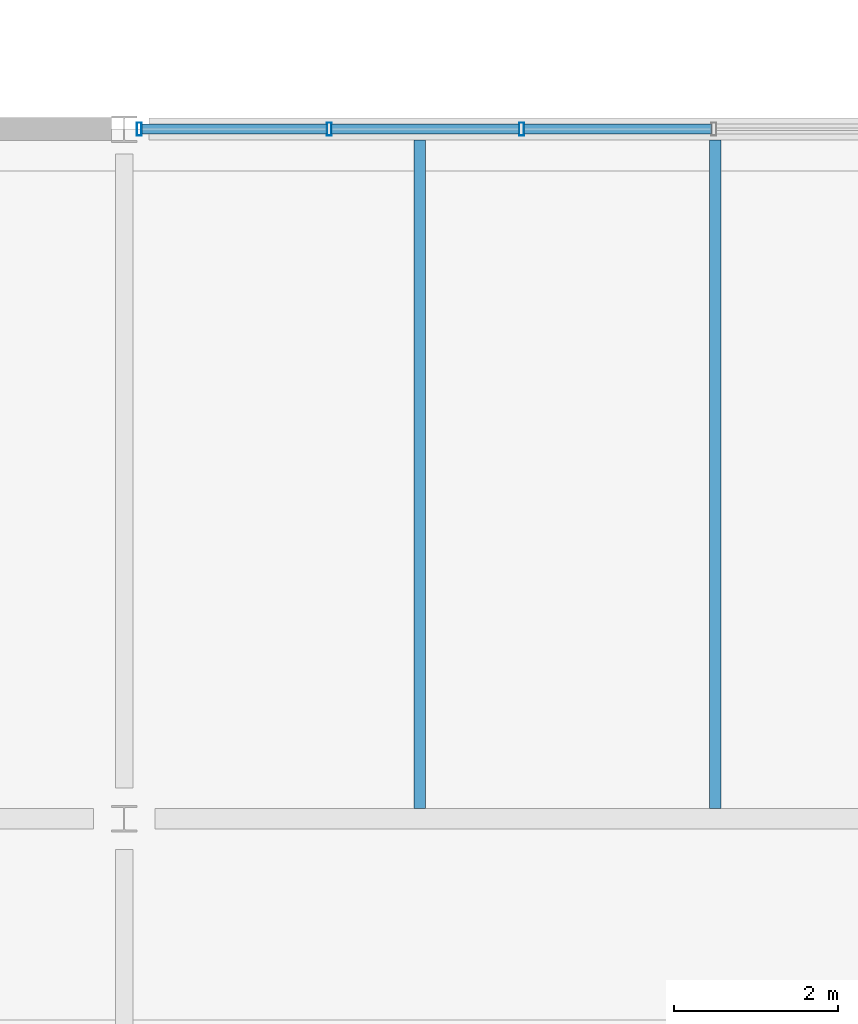
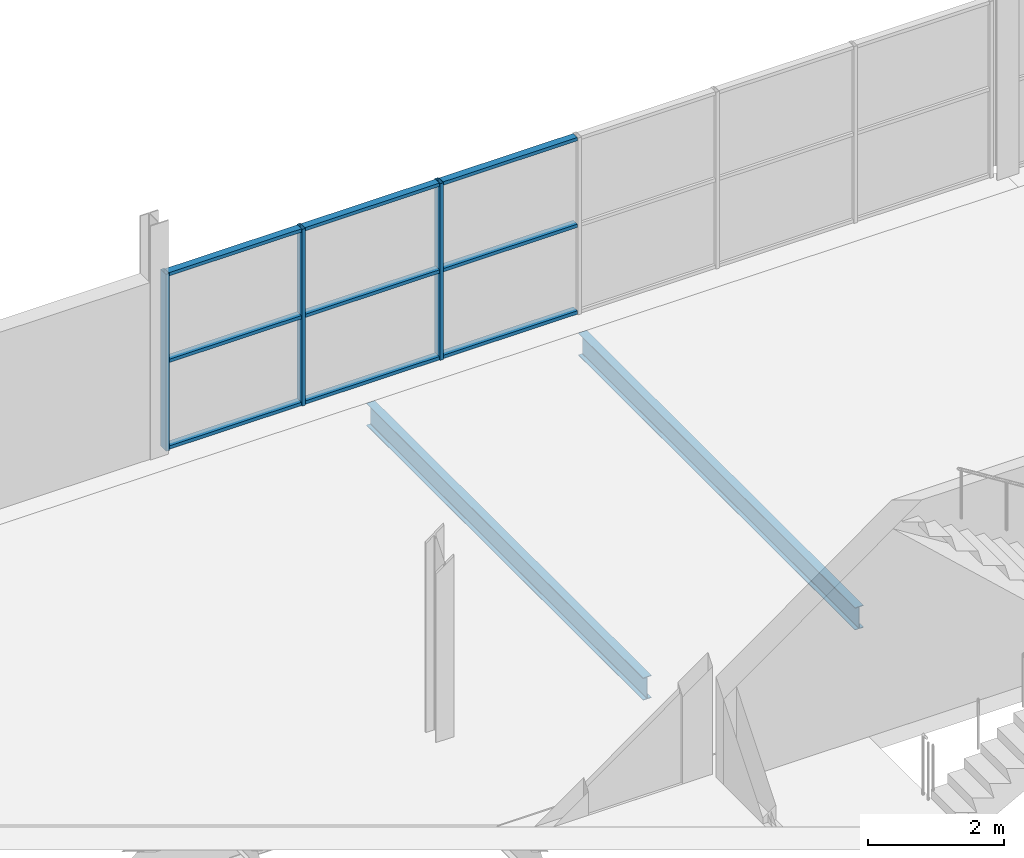
# One storey, part 61 of 161: 12 members, 2 beams, 1 element without a shape of its own.
"""IFC4 building model written with IfcOpenShell, lengths in metres."""

from ifc_helpers import new_model, si_unit, direction, frame, origin, origin_2d, place, context, subcontext, project, spatial, hollow_rectangle, i_section, extrude, material, material_profile, profile_set, type_object, element, aggregate, save


model = new_model("IFC4")

# Units and contexts
model_context = context("Model", 3, precision=1e-05, world=origin(), true_north=direction((0.0, 1.0)))
body_context = subcontext(model_context, "Body", "Model", "MODEL_VIEW")
ifc_project = project(units=[si_unit("LENGTHUNIT", "METRE"), si_unit("AREAUNIT", "SQUARE_METRE"), si_unit("VOLUMEUNIT", "CUBIC_METRE"), si_unit("PLANEANGLEUNIT", "RADIAN"), si_unit("MASSUNIT", "GRAM", prefix="KILO"), si_unit("THERMODYNAMICTEMPERATUREUNIT", "KELVIN")], contexts=[model_context])

# Site, building, storey
site_placement = place(None, origin())
site = spatial("IfcSite", under=ifc_project, at=site_placement, CompositionType="ELEMENT")
building_placement = place(site_placement, origin())
building = spatial("IfcBuilding", under=site, at=building_placement, Name="Nduvali Passage Aquatics Centre", CompositionType="ELEMENT")
storey_placement = place(building_placement, frame((0.0, 0.0, 4.800048828125)))
storey = spatial("IfcBuildingStorey", under=building, at=storey_placement, Name="L01", CompositionType="ELEMENT", Elevation=4.800048828125)

# Curtain wall, members
ifc_material_1 = material(Name="Aluminium EN AW-6063 T6", Category="aluminium")
curtain_wall_type = type_object("IfcCurtainWallType", Name="ENV-CW-WELL", PredefinedType="NOTDEFINED", material=ifc_material_1)
curtain_wall_placement = place(storey_placement, origin())
curtain_wall = element("IfcCurtainWall", 1, at=curtain_wall_placement, inside=storey, type_object=curtain_wall_type, Name="L01 North Avenue Fitness CW 100", PredefinedType="NOTDEFINED")
ifc_material_profile_1 = material_profile(ifc_material_1, hollow_rectangle(XDim=0.06005859375, YDim=0.159912109375, WallThickness=0.00390625, at=origin_2d()), Name="ALU MULLION 60x160x4")
ifc_profile_set_1 = profile_set([ifc_material_profile_1], Name="Aluminium EN AW-6063 T6")
member_type_1 = type_object("IfcMemberType", Name="ENV-MEM-MUL60", PredefinedType="MULLION", material=ifc_profile_set_1)
member_1_placement = place(storey_placement, frame((54.1845703125, 117.60009765625, 0.0), z_axis=(0.0, 0.0, 1.0), x_axis=(1.0, 0.0, 0.0)))
member_1 = element("IfcMember", 2, at=member_1_placement, type_object=member_type_1, Name="North Avenue Fitness CW Mullion 1", PredefinedType="MULLION", context=body_context, shape_type="SweptSolid", body=[
    extrude(hollow_rectangle(XDim=0.06005859375, YDim=0.159912109375, WallThickness=0.00390625, at=origin_2d()), origin(), (0.0, 0.0, 1.0), 3.173828125),
])
member_2_placement = place(storey_placement, frame((56.498046875, 117.60009765625, 0.0), z_axis=(0.0, 0.0, 1.0), x_axis=(1.0, 0.0, 0.0)))
member_2 = element("IfcMember", 3, at=member_2_placement, type_object=member_type_1, Name="North Avenue Fitness CW Mullion 2", PredefinedType="MULLION", context=body_context, shape_type="SweptSolid", body=[
    extrude(hollow_rectangle(XDim=0.06005859375, YDim=0.159912109375, WallThickness=0.00390625, at=origin_2d()), origin(), (0.0, 0.0, 1.0), 3.173828125),
])
member_3_placement = place(storey_placement, frame((58.84130859375, 117.60009765625, 0.0), z_axis=(0.0, 0.0, 1.0), x_axis=(1.0, 0.0, 0.0)))
member_3 = element("IfcMember", 4, at=member_3_placement, type_object=member_type_1, Name="North Avenue Fitness CW Mullion 3", PredefinedType="MULLION", context=body_context, shape_type="SweptSolid", body=[
    extrude(hollow_rectangle(XDim=0.06005859375, YDim=0.159912109375, WallThickness=0.00390625, at=origin_2d()), origin(), (0.0, 0.0, 1.0), 3.173828125),
])
ifc_material_profile_2 = material_profile(ifc_material_1, hollow_rectangle(XDim=0.1201171875, YDim=0.06005859375, WallThickness=0.00390625, at=origin_2d()), Name="ALU TRANSOM 120x60x4")
ifc_profile_set_2 = profile_set([ifc_material_profile_2], Name="Aluminium EN AW-6063 T6")
member_type_2 = type_object("IfcMemberType", Name="ENV-MEM-TRN60", PredefinedType="USERDEFINED", material=ifc_profile_set_2)
member_4_placement = place(storey_placement, frame((54.214599609375, 117.60009765625, 0.030029296875), z_axis=(1.0, 0.0, 0.0), x_axis=(0.0, 1.0, 0.0)))
member_4 = element("IfcMember", 5, at=member_4_placement, type_object=member_type_2, Name="North Avenue Fitness CW Transom B1-R0", ObjectType="TRANSOM", PredefinedType="USERDEFINED", context=body_context, shape_type="SweptSolid", body=[
    extrude(hollow_rectangle(XDim=0.1201171875, YDim=0.06005859375, WallThickness=0.00390625, at=origin_2d()), origin(), (0.0, 0.0, 1.0), 2.25341796875),
])
member_5_placement = place(storey_placement, frame((54.214599609375, 117.60009765625, 1.5869140625), z_axis=(1.0, 0.0, 0.0), x_axis=(0.0, 1.0, 0.0)))
member_5 = element("IfcMember", 6, at=member_5_placement, type_object=member_type_2, Name="North Avenue Fitness CW Transom B1-R1", ObjectType="TRANSOM", PredefinedType="USERDEFINED", context=body_context, shape_type="SweptSolid", body=[
    extrude(hollow_rectangle(XDim=0.1201171875, YDim=0.06005859375, WallThickness=0.00390625, at=origin_2d()), origin(), (0.0, 0.0, 1.0), 2.25341796875),
])
member_6_placement = place(storey_placement, frame((54.214599609375, 117.60009765625, 3.143798828125), z_axis=(1.0, 0.0, 0.0), x_axis=(0.0, 1.0, 0.0)))
member_6 = element("IfcMember", 7, at=member_6_placement, type_object=member_type_2, Name="North Avenue Fitness CW Transom B1-R2", ObjectType="TRANSOM", PredefinedType="USERDEFINED", context=body_context, shape_type="SweptSolid", body=[
    extrude(hollow_rectangle(XDim=0.1201171875, YDim=0.06005859375, WallThickness=0.00390625, at=origin_2d()), origin(), (0.0, 0.0, 1.0), 2.25341796875),
])
member_7_placement = place(storey_placement, frame((56.528076171875, 117.60009765625, 0.030029296875), z_axis=(1.0, 0.0, 0.0), x_axis=(0.0, 1.0, 0.0)))
member_7 = element("IfcMember", 8, at=member_7_placement, type_object=member_type_2, Name="North Avenue Fitness CW Transom B2-R0", ObjectType="TRANSOM", PredefinedType="USERDEFINED", context=body_context, shape_type="SweptSolid", body=[
    extrude(hollow_rectangle(XDim=0.1201171875, YDim=0.06005859375, WallThickness=0.00390625, at=origin_2d()), origin(), (0.0, 0.0, 1.0), 2.283203125),
])
member_8_placement = place(storey_placement, frame((56.528076171875, 117.60009765625, 1.5869140625), z_axis=(1.0, 0.0, 0.0), x_axis=(0.0, 1.0, 0.0)))
member_8 = element("IfcMember", 9, at=member_8_placement, type_object=member_type_2, Name="North Avenue Fitness CW Transom B2-R1", ObjectType="TRANSOM", PredefinedType="USERDEFINED", context=body_context, shape_type="SweptSolid", body=[
    extrude(hollow_rectangle(XDim=0.1201171875, YDim=0.06005859375, WallThickness=0.00390625, at=origin_2d()), origin(), (0.0, 0.0, 1.0), 2.283203125),
])
member_9_placement = place(storey_placement, frame((56.528076171875, 117.60009765625, 3.143798828125), z_axis=(1.0, 0.0, 0.0), x_axis=(0.0, 1.0, 0.0)))
member_9 = element("IfcMember", 10, at=member_9_placement, type_object=member_type_2, Name="North Avenue Fitness CW Transom B2-R2", ObjectType="TRANSOM", PredefinedType="USERDEFINED", context=body_context, shape_type="SweptSolid", body=[
    extrude(hollow_rectangle(XDim=0.1201171875, YDim=0.06005859375, WallThickness=0.00390625, at=origin_2d()), origin(), (0.0, 0.0, 1.0), 2.283203125),
])
member_10_placement = place(storey_placement, frame((58.871337890625, 117.60009765625, 0.030029296875), z_axis=(1.0, 0.0, 0.0), x_axis=(0.0, 1.0, 0.0)))
member_10 = element("IfcMember", 11, at=member_10_placement, type_object=member_type_2, Name="North Avenue Fitness CW Transom B3-R0", ObjectType="TRANSOM", PredefinedType="USERDEFINED", context=body_context, shape_type="SweptSolid", body=[
    extrude(hollow_rectangle(XDim=0.1201171875, YDim=0.06005859375, WallThickness=0.00390625, at=origin_2d()), origin(), (0.0, 0.0, 1.0), 2.283447265625),
])
member_11_placement = place(storey_placement, frame((58.871337890625, 117.60009765625, 1.5869140625), z_axis=(1.0, 0.0, 0.0), x_axis=(0.0, 1.0, 0.0)))
member_11 = element("IfcMember", 12, at=member_11_placement, type_object=member_type_2, Name="North Avenue Fitness CW Transom B3-R1", ObjectType="TRANSOM", PredefinedType="USERDEFINED", context=body_context, shape_type="SweptSolid", body=[
    extrude(hollow_rectangle(XDim=0.1201171875, YDim=0.06005859375, WallThickness=0.00390625, at=origin_2d()), origin(), (0.0, 0.0, 1.0), 2.283447265625),
])
member_12_placement = place(storey_placement, frame((58.871337890625, 117.60009765625, 3.143798828125), z_axis=(1.0, 0.0, 0.0), x_axis=(0.0, 1.0, 0.0)))
member_12 = element("IfcMember", 13, at=member_12_placement, type_object=member_type_2, Name="North Avenue Fitness CW Transom B3-R2", ObjectType="TRANSOM", PredefinedType="USERDEFINED", context=body_context, shape_type="SweptSolid", body=[
    extrude(hollow_rectangle(XDim=0.1201171875, YDim=0.06005859375, WallThickness=0.00390625, at=origin_2d()), origin(), (0.0, 0.0, 1.0), 2.283447265625),
])
aggregate(curtain_wall, [member_1, member_2, member_3, member_4, member_5, member_6, member_7, member_8, member_9, member_10, member_11, member_12])

# Beams
ifc_material_2 = material(Name="Steel S355", Category="steel")
ifc_material_profile_3 = material_profile(ifc_material_2, i_section(OverallWidth=0.14208984375, OverallDepth=0.4033203125, WebThickness=0.0068359375, FlangeThickness=0.01123046875, FilletRadius=0.01025390625, at=origin_2d()), Name="UKB 406x140x46")
ifc_profile_set_3 = profile_set([ifc_material_profile_3], Name="Steel S355")
beam_type = type_object("IfcBeamType", Name="STR-JST-UKB406L", PredefinedType="JOIST", material=ifc_profile_set_3)
for number, where, z_axis, x_axis, name in (
    (14, (57.60009765625, 109.326904296875, -0.485595703125), (0.0, 1.0, 0.0), (-1.0, 0.0, 0.0), "L01 Secondary Joist J1B-0844"),
    (15, (61.199951171875, 109.326904296875, -0.485595703125), (0.0, 1.0, 0.0), (-1.0, 0.0, 0.0), "L01 Secondary Joist J1B-0845"),
):
    element("IfcBeam", number, at=place(storey_placement, frame(where, z_axis=z_axis, x_axis=x_axis)), inside=storey, type_object=beam_type, Name=name, PredefinedType="JOIST", context=body_context, shape_type="SweptSolid", body=[
        extrude(i_section(OverallWidth=0.14208984375, OverallDepth=0.4033203125, WebThickness=0.0068359375, FlangeThickness=0.01123046875, FilletRadius=0.01025390625, at=origin_2d()), origin(), (0.0, 0.0, 1.0), 8.139892578125),
    ])

save(model, "model.ifc")
